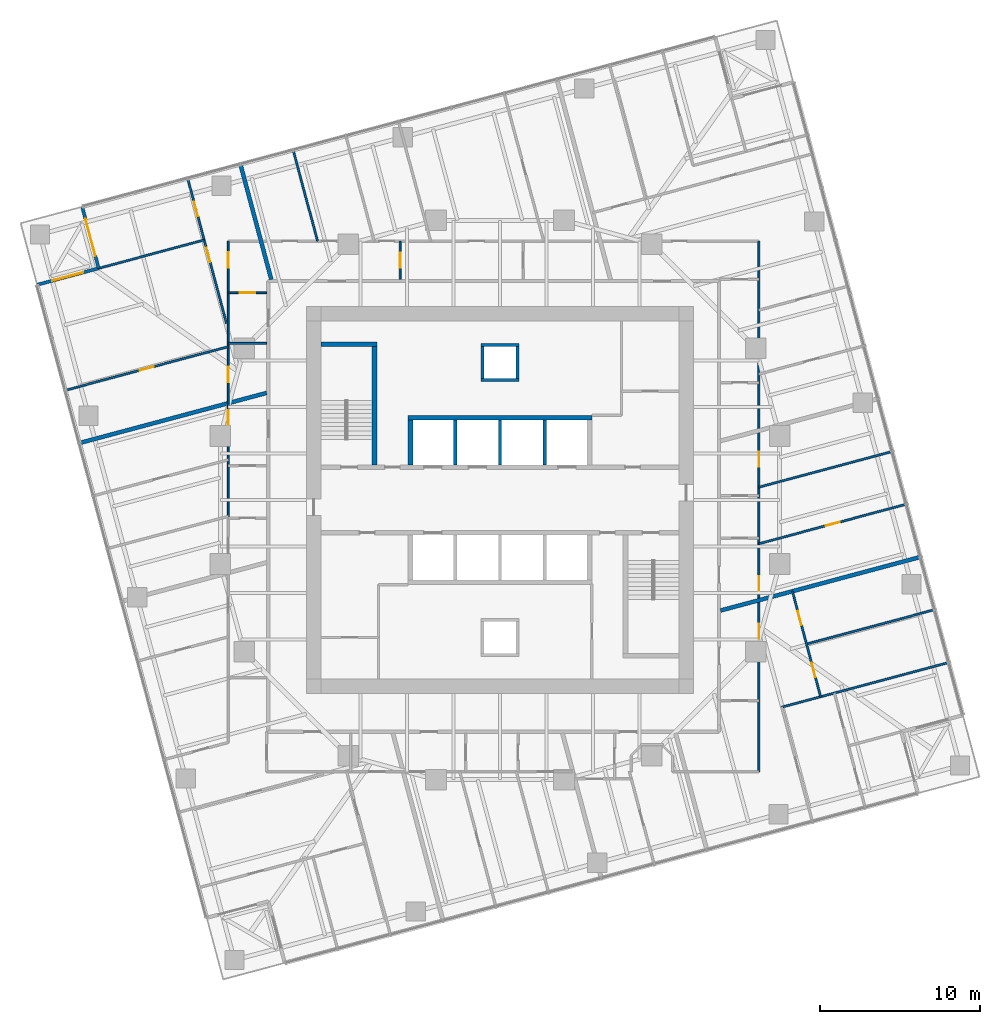
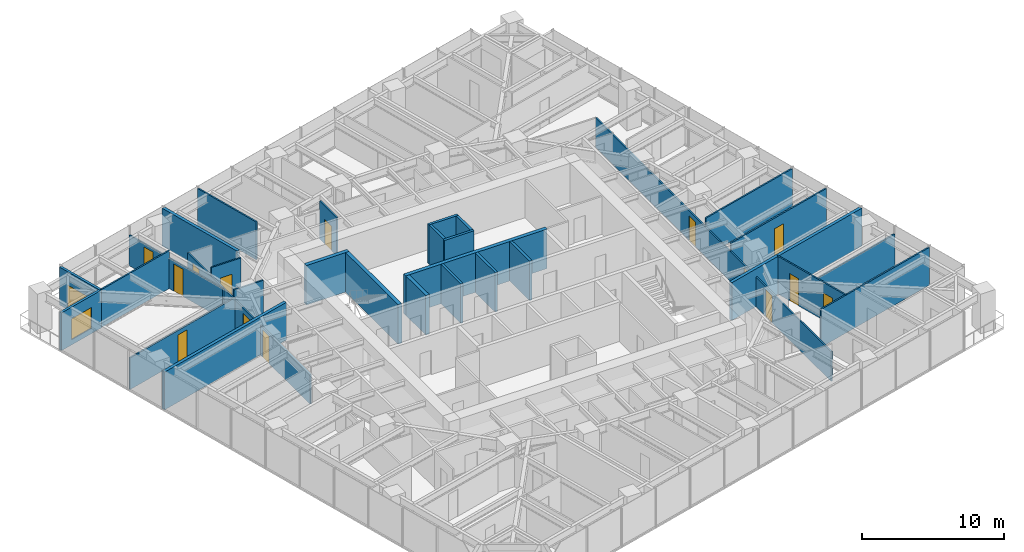
# One storey, part 11 of 14: 30 walls, 15 doors, 1 window, 16 openings.
"""IFC4 building model written with IfcOpenShell, lengths in metres."""

from ifc_helpers import new_model, si_unit, direction, frame, frame_2d, origin, place, context, subcontext, project, spatial, rectangle, extrude, material, layer, layer_set, type_object, element, fill, save


model = new_model("IFC4")

# Units and contexts
model_context = context("Model", 3, precision=1e-05, world=origin(), true_north=direction((0.0, 1.0)))
body_context = subcontext(model_context, "Body", "Model", "MODEL_VIEW")
ifc_project = project(units=[si_unit("LENGTHUNIT", "METRE"), si_unit("AREAUNIT", "SQUARE_METRE"), si_unit("VOLUMEUNIT", "CUBIC_METRE"), si_unit("PLANEANGLEUNIT", "RADIAN"), si_unit("MASSUNIT", "GRAM", prefix="KILO")], contexts=[model_context])

# Site, building, storey
site_placement = place(None, origin())
site = spatial("IfcSite", under=ifc_project, at=site_placement, CompositionType="ELEMENT")
building_placement = place(site_placement, origin())
building = spatial("IfcBuilding", under=site, at=building_placement, Name="Torsade Residences", CompositionType="ELEMENT")
storey_placement = place(building_placement, frame((0.0, 0.0, 125.199951171875)))
storey = spatial("IfcBuildingStorey", under=building, at=storey_placement, Name="L34", CompositionType="ELEMENT", Elevation=125.199951171875)

# Walls
ifc_material_1 = material(Name="Concrete 80 MPa", Category="concrete")
ifc_layer_1 = layer(ifc_material_1, 0.300048828125)
ifc_layer_set_1 = layer_set([ifc_layer_1], Name="Concrete 80 MPa")
wall_type_1 = type_object("IfcWallType", Name="CORE INTERNAL WALL 300", PredefinedType="SHEAR", material=ifc_layer_set_1)
wall_1_placement = place(storey_placement, frame((34.25, 35.14990234375, 0.0), z_axis=(0.0, 0.0, 1.0), x_axis=(1.0, 0.0, 0.0)))
element("IfcWall", 1, at=wall_1_placement, inside=storey, type_object=wall_type_1, Name="Core wall BN L34", PredefinedType="SHEAR", context=body_context, shape_type="SweptSolid", body=[
    extrude(rectangle(XDim=11.5, YDim=0.300048828125, at=frame_2d((5.75, 0.0))), origin(), (0.0, 0.0, 1.0), 3.400146484375),
])
wall_2_placement = place(storey_placement, frame((34.39990234375, 32.199951171875, 0.0), z_axis=(0.0, 0.0, 1.0), x_axis=(0.0, 1.0, 0.0)))
element("IfcWall", 2, at=wall_2_placement, inside=storey, type_object=wall_type_1, Name="Core wall DN0 L34", PredefinedType="SHEAR", context=body_context, shape_type="SweptSolid", body=[
    extrude(rectangle(XDim=2.800048828125, YDim=0.300048828125, at=frame_2d((1.39990234375, 0.0))), origin(), (0.0, 0.0, 1.0), 3.400146484375),
])
wall_3_placement = place(storey_placement, frame((32.14990234375, 32.199951171875, 0.0), z_axis=(0.0, 0.0, 1.0), x_axis=(0.0, 1.0, 0.0)))
element("IfcWall", 3, at=wall_3_placement, inside=storey, type_object=wall_type_1, Name="Core wall ST1E L34", PredefinedType="SHEAR", context=body_context, shape_type="SweptSolid", body=[
    extrude(rectangle(XDim=7.699951171875, YDim=0.300048828125, at=frame_2d((3.85009765625, 0.0))), origin(), (0.0, 0.0, 1.0), 3.400146484375),
])
wall_4_placement = place(storey_placement, frame((28.800048828125, 39.75, 0.0), z_axis=(0.0, 0.0, 1.0), x_axis=(1.0, 0.0, 0.0)))
element("IfcWall", 4, at=wall_4_placement, inside=storey, type_object=wall_type_1, Name="Core wall ST1N L34", PredefinedType="SHEAR", context=body_context, shape_type="SweptSolid", body=[
    extrude(rectangle(XDim=3.5, YDim=0.300048828125, at=frame_2d((1.75, 0.0))), origin(), (0.0, 0.0, 1.0), 3.400146484375),
])
ifc_material_2 = material(Name="Reinforced blockwork", Category="masonry")
ifc_layer_2 = layer(ifc_material_2, 0.199951171875)
ifc_layer_set_2 = layer_set([ifc_layer_2], Name="Reinforced blockwork")
wall_type_2 = type_object("IfcWallType", Name="LIFT SHAFT DIVIDING WALL 200", PredefinedType="SOLIDWALL", material=ifc_layer_set_2)
for number, where, z_axis, x_axis, name in (
    (5, (37.199951171875, 32.199951171875, 0.0), (0.0, 0.0, 1.0), (0.0, 1.0, 0.0), "Core wall DN1 L34"),
    (6, (40.0, 32.199951171875, 0.0), (0.0, 0.0, 1.0), (0.0, 1.0, 0.0), "Core wall DN2 L34"),
    (7, (42.800048828125, 32.199951171875, 0.0), (0.0, 0.0, 1.0), (0.0, 1.0, 0.0), "Core wall DN3 L34"),
):
    element("IfcWall", number, at=place(storey_placement, frame(where, z_axis=z_axis, x_axis=x_axis)), inside=storey, type_object=wall_type_2, Name=name, PredefinedType="SOLIDWALL", context=body_context, shape_type="SweptSolid", body=[
        extrude(rectangle(XDim=2.800048828125, YDim=0.199951171875, at=frame_2d((1.39990234375, 0.0))), origin(), (0.0, 0.0, 1.0), 3.400146484375),
    ])

# Wall, openings, doors
ifc_material_3 = material(Name="Plasterboard on steel stud", Category="steel")
ifc_layer_3 = layer(ifc_material_3, 0.1201171875)
ifc_layer_set_3 = layer_set([ifc_layer_3], Name="Plasterboard on steel stud")
wall_type_3 = type_object("IfcWallType", Name="PARTITION 120", PredefinedType="PARTITIONING", material=ifc_layer_set_3)
wall_5_placement = place(storey_placement, frame((56.199951171875, 46.199951171875, 0.0), z_axis=(0.0, 0.0, 1.0), x_axis=(0.0, -1.0, 0.0)))
wall_5 = element("IfcWall", 8, at=wall_5_placement, inside=storey, type_object=wall_type_3, Name="Partition L34", PredefinedType="PARTITIONING", context=body_context, shape_type="SweptSolid", body=[
    extrude(rectangle(XDim=33.199951171875, YDim=0.1201171875, at=frame_2d((16.60009765625, 0.0))), origin(), (0.0, 0.0, 1.0), 2.550048828125),
])
opening_1_placement = place(wall_5_placement, frame((23.95458984375, 0.0, 0.0)))
opening_1 = element("IfcOpeningElement", 9, at=opening_1_placement, cuts=wall_5, Name="Opening D02", PredefinedType="OPENING", context=body_context, shape_type="SweptSolid", body=[
    extrude(rectangle(XDim=0.919921875, YDim=2.340087890625, at=frame_2d((0.4599609375, 1.169921875))), frame((0.0, 0.070068359375, 0.0), z_axis=(0.0, -1.0, 0.0), x_axis=(1.0, 0.0, 0.0)), (0.0, 0.0, 1.0), 0.14013671875),
])
opening_2_placement = place(wall_5_placement, frame((20.96630859375, 0.0, 0.0)))
opening_2 = element("IfcOpeningElement", 10, at=opening_2_placement, cuts=wall_5, Name="Opening D02", PredefinedType="OPENING", context=body_context, shape_type="SweptSolid", body=[
    extrude(rectangle(XDim=0.919921875, YDim=2.340087890625, at=frame_2d((0.4599609375, 1.169921875))), frame((0.0, 0.070068359375, 0.0), z_axis=(0.0, -1.0, 0.0), x_axis=(1.0, 0.0, 0.0)), (0.0, 0.0, 1.0), 0.14013671875),
])
opening_3_placement = place(wall_5_placement, frame((13.173828125, 0.0, 0.0)))
opening_3 = element("IfcOpeningElement", 11, at=opening_3_placement, cuts=wall_5, Name="Opening D05", PredefinedType="OPENING", context=body_context, shape_type="SweptSolid", body=[
    extrude(rectangle(XDim=0.9599609375, YDim=2.10009765625, at=frame_2d((0.47998046875, 1.050048828125))), frame((0.0, 0.070068359375, 0.0), z_axis=(0.0, -1.0, 0.0), x_axis=(1.0, 0.0, 0.0)), (0.0, 0.0, 1.0), 0.14013671875),
])
ifc_material_4 = material(Name="Hollow-core timber door in a steel cavity frame", Category="steel")
door_type_1 = type_object("IfcDoorType", Name="BATHROOM CAVITY SLIDING DOOR 960", OperationType="SLIDING_TO_LEFT", PredefinedType="DOOR", material=ifc_material_4)
door_1_placement = place(opening_3_placement, origin())
door_1 = element("IfcDoor", 12, at=door_1_placement, inside=storey, type_object=door_type_1, Name="Door Bathroom to Bedroom 2", OperationType="SLIDING_TO_LEFT", OverallHeight=2.10009765625, OverallWidth=0.9599609375, PredefinedType="DOOR", context=body_context, shape_type="SweptSolid", body=[
    extrude(rectangle(XDim=0.9599609375, YDim=2.10009765625, at=frame_2d((0.47998046875, 1.050048828125))), frame((0.0, 0.02490234375, 0.0), z_axis=(0.0, -1.0, 0.0), x_axis=(1.0, 0.0, 0.0)), (0.0, 0.0, 1.0), 0.050048828125),
])
fill(opening_3, door_1)
ifc_material_5 = material(Name="Hollow-core timber door", Category="wood")
door_type_2 = type_object("IfcDoorType", Name="INTERNAL DOOR 920x2340", OperationType="NOTDEFINED", PredefinedType="DOOR", material=ifc_material_5)
door_2_placement = place(opening_1_placement, origin())
door_2 = element("IfcDoor", 13, at=door_2_placement, inside=storey, type_object=door_type_2, Name="Door Kitchen and dining to Living room", OperationType="SINGLE_SWING_RIGHT", OverallHeight=2.340087890625, OverallWidth=0.919921875, PredefinedType="DOOR", context=body_context, shape_type="SweptSolid", body=[
    extrude(rectangle(XDim=0.919921875, YDim=2.340087890625, at=frame_2d((0.4599609375, 1.169921875))), frame((0.0, 0.02490234375, 0.0), z_axis=(0.0, -1.0, 0.0), x_axis=(1.0, 0.0, 0.0)), (0.0, 0.0, 1.0), 0.050048828125),
])
fill(opening_1, door_2)
door_3_placement = place(opening_2_placement, origin())
door_3 = element("IfcDoor", 14, at=door_3_placement, inside=storey, type_object=door_type_2, Name="Door Kitchen and dining to Living room", OperationType="SINGLE_SWING_RIGHT", OverallHeight=2.340087890625, OverallWidth=0.919921875, PredefinedType="DOOR", context=body_context, shape_type="SweptSolid", body=[
    extrude(rectangle(XDim=0.919921875, YDim=2.340087890625, at=frame_2d((0.4599609375, 1.169921875))), frame((0.0, 0.02490234375, 0.0), z_axis=(0.0, -1.0, 0.0), x_axis=(1.0, 0.0, 0.0)), (0.0, 0.0, 1.0), 0.050048828125),
])
fill(opening_2, door_3)

wall_6_placement = place(storey_placement, frame((58.2919921875, 24.289794921875, 0.0), z_axis=(0.0, 0.0, 1.0), x_axis=(0.258809899302, -0.965928276853, 0.0)))
wall_6 = element("IfcWall", 15, at=wall_6_placement, inside=storey, type_object=wall_type_3, Name="Partition L34", PredefinedType="PARTITIONING", context=body_context, shape_type="SweptSolid", body=[
    extrude(rectangle(XDim=6.83349609375, YDim=0.1201171875, at=frame_2d((3.416748046875, 0.0))), origin(), (0.0, 0.0, 1.0), 3.25),
])
opening_4_placement = place(wall_6_placement, frame((1.2734375, 0.0, 0.0)))
opening_4 = element("IfcOpeningElement", 16, at=opening_4_placement, cuts=wall_6, Name="Opening D02", PredefinedType="OPENING", context=body_context, shape_type="SweptSolid", body=[
    extrude(rectangle(XDim=0.919921875, YDim=2.340087890625, at=frame_2d((0.4599609375, 1.169921875))), frame((0.0, 0.070068359375, 0.0), z_axis=(0.0, -1.0, 0.0), x_axis=(1.0, 0.0, 0.0)), (0.0, 0.0, 1.0), 0.14013671875),
])
opening_5_placement = place(wall_6_placement, frame((4.639892578125, 0.0, 0.0)))
opening_5 = element("IfcOpeningElement", 17, at=opening_5_placement, cuts=wall_6, Name="Opening D02", PredefinedType="OPENING", context=body_context, shape_type="SweptSolid", body=[
    extrude(rectangle(XDim=0.919921875, YDim=2.340087890625, at=frame_2d((0.4599609375, 1.169921875))), frame((0.0, 0.070068359375, 0.0), z_axis=(0.0, -1.0, 0.0), x_axis=(1.0, 0.0, 0.0)), (0.0, 0.0, 1.0), 0.14013671875),
])
door_4_placement = place(opening_4_placement, origin())
door_4 = element("IfcDoor", 18, at=door_4_placement, inside=storey, type_object=door_type_2, Name="Door Living room to Bedroom 1", OperationType="SINGLE_SWING_LEFT", OverallHeight=2.340087890625, OverallWidth=0.919921875, PredefinedType="DOOR", context=body_context, shape_type="SweptSolid", body=[
    extrude(rectangle(XDim=0.919921875, YDim=2.340087890625, at=frame_2d((0.4599609375, 1.169921875))), frame((0.0, 0.02490234375, 0.0), z_axis=(0.0, -1.0, 0.0), x_axis=(1.0, 0.0, 0.0)), (0.0, 0.0, 1.0), 0.050048828125),
])
fill(opening_4, door_4)
door_5_placement = place(opening_5_placement, origin())
door_5 = element("IfcDoor", 19, at=door_5_placement, inside=storey, type_object=door_type_2, Name="Door Living room to Bedroom 2", OperationType="SINGLE_SWING_LEFT", OverallHeight=2.340087890625, OverallWidth=0.919921875, PredefinedType="DOOR", context=body_context, shape_type="SweptSolid", body=[
    extrude(rectangle(XDim=0.919921875, YDim=2.340087890625, at=frame_2d((0.4599609375, 1.169921875))), frame((0.0, 0.02490234375, 0.0), z_axis=(0.0, -1.0, 0.0), x_axis=(1.0, 0.0, 0.0)), (0.0, 0.0, 1.0), 0.050048828125),
])
fill(opening_5, door_5)

# Walls
wall_7_placement = place(storey_placement, frame((68.048095703125, 19.82958984375, 0.0), z_axis=(0.0, 0.0, 1.0), x_axis=(-0.965921496576, -0.258835203272, 0.0)))
element("IfcWall", 20, at=wall_7_placement, inside=storey, type_object=wall_type_3, Name="Partition L34", PredefinedType="PARTITIONING", context=body_context, shape_type="SweptSolid", body=[
    extrude(rectangle(XDim=10.79345703125, YDim=0.1201171875, at=frame_2d((5.396728515625, 0.0))), origin(), (0.0, 0.0, 1.0), 3.25),
])
wall_8_placement = place(storey_placement, frame((67.163818359375, 23.129638671875, 0.0), z_axis=(0.0, 0.0, 1.0), x_axis=(-0.965929470378, -0.258805444794, 0.0)))
element("IfcWall", 21, at=wall_8_placement, inside=storey, type_object=wall_type_3, Name="Partition L34", PredefinedType="PARTITIONING", context=body_context, shape_type="SweptSolid", body=[
    extrude(rectangle(XDim=8.269287109375, YDim=0.1201171875, at=frame_2d((4.134765625, 0.0))), origin(), (0.0, 0.0, 1.0), 2.72216796875),
])

# Wall, opening, door
wall_9_placement = place(storey_placement, frame((56.199951171875, 27.266357421875, 0.0), z_axis=(0.0, 0.0, 1.0), x_axis=(0.965926072385, 0.25881812666, 0.0)))
wall_9 = element("IfcWall", 22, at=wall_9_placement, inside=storey, type_object=wall_type_3, Name="Partition L34", PredefinedType="PARTITIONING", context=body_context, shape_type="SweptSolid", body=[
    extrude(rectangle(XDim=9.519775390625, YDim=0.1201171875, at=frame_2d((4.759765625, 0.0))), origin(), (0.0, 0.0, 1.0), 3.25),
])
opening_6_placement = place(wall_9_placement, frame((4.31982421875, 0.0, 0.0)))
opening_6 = element("IfcOpeningElement", 23, at=opening_6_placement, cuts=wall_9, Name="Opening D02", PredefinedType="OPENING", context=body_context, shape_type="SweptSolid", body=[
    extrude(rectangle(XDim=0.919921875, YDim=2.340087890625, at=frame_2d((0.4599609375, 1.169921875))), frame((0.0, 0.070068359375, 0.0), z_axis=(0.0, -1.0, 0.0), x_axis=(1.0, 0.0, 0.0)), (0.0, 0.0, 1.0), 0.14013671875),
])
door_6_placement = place(opening_6_placement, origin())
door_6 = element("IfcDoor", 24, at=door_6_placement, inside=storey, type_object=door_type_2, Name="Door Living room to Bedroom 1", OperationType="SINGLE_SWING_LEFT", OverallHeight=2.340087890625, OverallWidth=0.919921875, PredefinedType="DOOR", context=body_context, shape_type="SweptSolid", body=[
    extrude(rectangle(XDim=0.919921875, YDim=2.340087890625, at=frame_2d((0.4599609375, 1.169921875))), frame((0.0, 0.02490234375, 0.0), z_axis=(0.0, -1.0, 0.0), x_axis=(1.0, 0.0, 0.0)), (0.0, 0.0, 1.0), 0.050048828125),
])
fill(opening_6, door_6)

# Wall
wall_10_placement = place(storey_placement, frame((56.199951171875, 30.803466796875, 0.0), z_axis=(0.0, 0.0, 1.0), x_axis=(0.965920565748, 0.258838676912, 0.0)))
element("IfcWall", 25, at=wall_10_placement, inside=storey, type_object=wall_type_3, Name="Partition L34", PredefinedType="PARTITIONING", context=body_context, shape_type="SweptSolid", body=[
    extrude(rectangle(XDim=8.60400390625, YDim=0.1201171875, at=frame_2d((4.302001953125, 0.0))), origin(), (0.0, 0.0, 1.0), 3.25),
])

# Wall, opening, door
wall_11_placement = place(storey_placement, frame((33.754150390625, 46.199951171875, 0.0), z_axis=(0.0, 0.0, 1.0), x_axis=(0.0, -1.0, 0.0)))
wall_11 = element("IfcWall", 26, at=wall_11_placement, inside=storey, type_object=wall_type_3, Name="Partition L34", PredefinedType="PARTITIONING", context=body_context, shape_type="SweptSolid", body=[
    extrude(rectangle(XDim=2.39990234375, YDim=0.1201171875, at=frame_2d((1.199951171875, 0.0))), origin(), (0.0, 0.0, 1.0), 3.25),
])
opening_7_placement = place(wall_11_placement, frame((0.719970703125, 0.0, 0.0)))
opening_7 = element("IfcOpeningElement", 27, at=opening_7_placement, cuts=wall_11, Name="Opening D05", PredefinedType="OPENING", context=body_context, shape_type="SweptSolid", body=[
    extrude(rectangle(XDim=0.9599609375, YDim=2.10009765625, at=frame_2d((0.47998046875, 1.050048828125))), frame((0.0, 0.070068359375, 0.0), z_axis=(0.0, -1.0, 0.0), x_axis=(1.0, 0.0, 0.0)), (0.0, 0.0, 1.0), 0.14013671875),
])
door_7_placement = place(opening_7_placement, origin())
door_7 = element("IfcDoor", 28, at=door_7_placement, inside=storey, type_object=door_type_1, Name="Door Kitchen and dining to Bathroom", OperationType="SLIDING_TO_LEFT", OverallHeight=2.10009765625, OverallWidth=0.9599609375, PredefinedType="DOOR", context=body_context, shape_type="SweptSolid", body=[
    extrude(rectangle(XDim=0.9599609375, YDim=2.10009765625, at=frame_2d((0.47998046875, 1.050048828125))), frame((0.0, 0.02490234375, 0.0), z_axis=(0.0, -1.0, 0.0), x_axis=(1.0, 0.0, 0.0)), (0.0, 0.0, 1.0), 0.050048828125),
])
fill(opening_7, door_7)

# Walls
wall_12_placement = place(storey_placement, frame((28.584716796875, 46.199951171875, 0.0), z_axis=(0.0, 0.0, 1.0), x_axis=(-0.258790947109, 0.965933354686, 0.0)))
element("IfcWall", 29, at=wall_12_placement, inside=storey, type_object=wall_type_3, Name="Partition L34", PredefinedType="PARTITIONING", context=body_context, shape_type="SweptSolid", body=[
    extrude(rectangle(XDim=5.857421875, YDim=0.1201171875, at=frame_2d((2.9287109375, 0.0))), origin(), (0.0, 0.0, 1.0), 3.25),
])
wall_13_placement = place(storey_placement, frame((25.39990234375, 39.79541015625, 0.0), z_axis=(0.0, 0.0, 1.0), x_axis=(-1.0, 0.0, 0.0)))
element("IfcWall", 30, at=wall_13_placement, inside=storey, type_object=wall_type_3, Name="Partition L34", PredefinedType="PARTITIONING", context=body_context, shape_type="SweptSolid", body=[
    extrude(rectangle(XDim=2.39990234375, YDim=0.1201171875, at=frame_2d((1.199951171875, 0.0))), origin(), (0.0, 0.0, 1.0), 3.25),
])

# Wall, openings, doors
wall_14_placement = place(storey_placement, frame((23.0, 28.93017578125, 0.0), z_axis=(0.0, 0.0, 1.0), x_axis=(0.0, 1.0, 0.0)))
wall_14 = element("IfcWall", 31, at=wall_14_placement, inside=storey, type_object=wall_type_3, Name="Partition L34", PredefinedType="PARTITIONING", context=body_context, shape_type="SweptSolid", body=[
    extrude(rectangle(XDim=17.269775390625, YDim=0.1201171875, at=frame_2d((8.634765625, 0.0))), origin(), (0.0, 0.0, 1.0), 2.550048828125),
])
opening_8_placement = place(wall_14_placement, frame((5.771728515625, 0.0, 0.0)))
opening_8 = element("IfcOpeningElement", 32, at=opening_8_placement, cuts=wall_14, Name="Opening D02", PredefinedType="OPENING", context=body_context, shape_type="SweptSolid", body=[
    extrude(rectangle(XDim=0.919921875, YDim=2.340087890625, at=frame_2d((0.4599609375, 1.169921875))), frame((0.0, 0.070068359375, 0.0), z_axis=(0.0, -1.0, 0.0), x_axis=(1.0, 0.0, 0.0)), (0.0, 0.0, 1.0), 0.14013671875),
])
opening_9_placement = place(wall_14_placement, frame((15.5986328125, 0.0, 0.0)))
opening_9 = element("IfcOpeningElement", 33, at=opening_9_placement, cuts=wall_14, Name="Opening D05", PredefinedType="OPENING", context=body_context, shape_type="SweptSolid", body=[
    extrude(rectangle(XDim=0.9599609375, YDim=2.10009765625, at=frame_2d((0.47998046875, 1.050048828125))), frame((0.0, 0.070068359375, 0.0), z_axis=(0.0, -1.0, 0.0), x_axis=(1.0, 0.0, 0.0)), (0.0, 0.0, 1.0), 0.14013671875),
])
opening_10_placement = place(wall_14_placement, frame((8.440673828125, 0.0, 0.0)))
opening_10 = element("IfcOpeningElement", 34, at=opening_10_placement, cuts=wall_14, Name="Opening D05", PredefinedType="OPENING", context=body_context, shape_type="SweptSolid", body=[
    extrude(rectangle(XDim=0.9599609375, YDim=2.10009765625, at=frame_2d((0.47998046875, 1.050048828125))), frame((0.0, 0.070068359375, 0.0), z_axis=(0.0, -1.0, 0.0), x_axis=(1.0, 0.0, 0.0)), (0.0, 0.0, 1.0), 0.14013671875),
])
door_8_placement = place(opening_9_placement, origin())
door_8 = element("IfcDoor", 35, at=door_8_placement, inside=storey, type_object=door_type_1, Name="Door WC to Bedroom 3", OperationType="SLIDING_TO_LEFT", OverallHeight=2.10009765625, OverallWidth=0.9599609375, PredefinedType="DOOR", context=body_context, shape_type="SweptSolid", body=[
    extrude(rectangle(XDim=0.9599609375, YDim=2.10009765625, at=frame_2d((0.47998046875, 1.050048828125))), frame((0.0, 0.02490234375, 0.0), z_axis=(0.0, -1.0, 0.0), x_axis=(1.0, 0.0, 0.0)), (0.0, 0.0, 1.0), 0.050048828125),
])
fill(opening_9, door_8)
door_9_placement = place(opening_10_placement, origin())
door_9 = element("IfcDoor", 36, at=door_9_placement, inside=storey, type_object=door_type_1, Name="Door Bedroom 1 to Bathroom", OperationType="SLIDING_TO_LEFT", OverallHeight=2.10009765625, OverallWidth=0.9599609375, PredefinedType="DOOR", context=body_context, shape_type="SweptSolid", body=[
    extrude(rectangle(XDim=0.9599609375, YDim=2.10009765625, at=frame_2d((0.47998046875, 1.050048828125))), frame((0.0, 0.02490234375, 0.0), z_axis=(0.0, -1.0, 0.0), x_axis=(1.0, 0.0, 0.0)), (0.0, 0.0, 1.0), 0.050048828125),
])
fill(opening_10, door_9)
door_10_placement = place(opening_8_placement, origin())
door_10 = element("IfcDoor", 37, at=door_10_placement, inside=storey, type_object=door_type_2, Name="Door Kitchen and dining to Living room", OperationType="SINGLE_SWING_LEFT", OverallHeight=2.340087890625, OverallWidth=0.919921875, PredefinedType="DOOR", context=body_context, shape_type="SweptSolid", body=[
    extrude(rectangle(XDim=0.919921875, YDim=2.340087890625, at=frame_2d((0.4599609375, 1.169921875))), frame((0.0, 0.02490234375, 0.0), z_axis=(0.0, -1.0, 0.0), x_axis=(1.0, 0.0, 0.0)), (0.0, 0.0, 1.0), 0.050048828125),
])
fill(opening_8, door_10)

# Wall, opening, door
wall_15_placement = place(storey_placement, frame((23.0, 42.968017578125, 0.0), z_axis=(0.0, 0.0, 1.0), x_axis=(1.0, 0.0, 0.0)))
wall_15 = element("IfcWall", 38, at=wall_15_placement, inside=storey, type_object=wall_type_3, Name="Partition L34", PredefinedType="PARTITIONING", context=body_context, shape_type="SweptSolid", body=[
    extrude(rectangle(XDim=2.39990234375, YDim=0.1201171875, at=frame_2d((1.199951171875, 0.0))), origin(), (0.0, 0.0, 1.0), 3.25),
])
opening_11_placement = place(wall_15_placement, frame((0.719970703125, 0.0, 0.0)))
opening_11 = element("IfcOpeningElement", 39, at=opening_11_placement, cuts=wall_15, Name="Opening D05", PredefinedType="OPENING", context=body_context, shape_type="SweptSolid", body=[
    extrude(rectangle(XDim=0.9599609375, YDim=2.10009765625, at=frame_2d((0.47998046875, 1.050048828125))), frame((0.0, 0.070068359375, 0.0), z_axis=(0.0, -1.0, 0.0), x_axis=(1.0, 0.0, 0.0)), (0.0, 0.0, 1.0), 0.14013671875),
])
door_11_placement = place(opening_11_placement, origin())
door_11 = element("IfcDoor", 40, at=door_11_placement, inside=storey, type_object=door_type_1, Name="Door Kitchen and dining to WC", OperationType="SLIDING_TO_LEFT", OverallHeight=2.10009765625, OverallWidth=0.9599609375, PredefinedType="DOOR", context=body_context, shape_type="SweptSolid", body=[
    extrude(rectangle(XDim=0.9599609375, YDim=2.10009765625, at=frame_2d((0.47998046875, 1.050048828125))), frame((0.0, 0.02490234375, 0.0), z_axis=(0.0, -1.0, 0.0), x_axis=(1.0, 0.0, 0.0)), (0.0, 0.0, 1.0), 0.050048828125),
])
fill(opening_11, door_11)

wall_16_placement = place(storey_placement, frame((23.0, 39.59375, 0.0), z_axis=(0.0, 0.0, 1.0), x_axis=(-0.9659257847, -0.258819200315, 0.0)))
wall_16 = element("IfcWall", 41, at=wall_16_placement, inside=storey, type_object=wall_type_3, Name="Partition L34", PredefinedType="PARTITIONING", context=body_context, shape_type="SweptSolid", body=[
    extrude(rectangle(XDim=10.5224609375, YDim=0.1201171875, at=frame_2d((5.26123046875, 0.0))), origin(), (0.0, 0.0, 1.0), 2.72216796875),
])
opening_12_placement = place(wall_16_placement, frame((4.821044921875, 0.0, 0.0)))
opening_12 = element("IfcOpeningElement", 42, at=opening_12_placement, cuts=wall_16, Name="Opening D02", PredefinedType="OPENING", context=body_context, shape_type="SweptSolid", body=[
    extrude(rectangle(XDim=0.919921875, YDim=2.340087890625, at=frame_2d((0.4599609375, 1.169921875))), frame((0.0, 0.070068359375, 0.0), z_axis=(0.0, -1.0, 0.0), x_axis=(1.0, 0.0, 0.0)), (0.0, 0.0, 1.0), 0.14013671875),
])
door_12_placement = place(opening_12_placement, origin())
door_12 = element("IfcDoor", 43, at=door_12_placement, inside=storey, type_object=door_type_2, Name="Door Living room to Bedroom 1", OperationType="SINGLE_SWING_RIGHT", OverallHeight=2.340087890625, OverallWidth=0.919921875, PredefinedType="DOOR", context=body_context, shape_type="SweptSolid", body=[
    extrude(rectangle(XDim=0.919921875, YDim=2.340087890625, at=frame_2d((0.4599609375, 1.169921875))), frame((0.0, 0.02490234375, 0.0), z_axis=(0.0, -1.0, 0.0), x_axis=(1.0, 0.0, 0.0)), (0.0, 0.0, 1.0), 0.050048828125),
])
fill(opening_12, door_12)

# Wall
wall_17_placement = place(storey_placement, frame((14.931396484375, 44.506103515625, 0.0), z_axis=(0.0, 0.0, 1.0), x_axis=(0.965922865286, 0.258830095464, 0.0)))
element("IfcWall", 44, at=wall_17_placement, inside=storey, type_object=wall_type_3, Name="Partition L34", PredefinedType="PARTITIONING", context=body_context, shape_type="SweptSolid", body=[
    extrude(rectangle(XDim=6.793212890625, YDim=0.1201171875, at=frame_2d((3.396484375, 0.0))), origin(), (0.0, 0.0, 1.0), 3.25),
])

# Wall, openings, doors
wall_18_placement = place(storey_placement, frame((20.46826171875, 50.08935546875, 0.0), z_axis=(0.0, 0.0, 1.0), x_axis=(0.25881390457, -0.965927203676, 0.0)))
wall_18 = element("IfcWall", 45, at=wall_18_placement, inside=storey, type_object=wall_type_3, Name="Partition L34", PredefinedType="PARTITIONING", context=body_context, shape_type="SweptSolid", body=[
    extrude(rectangle(XDim=9.356689453125, YDim=0.1201171875, at=frame_2d((4.67822265625, 0.0))), origin(), (0.0, 0.0, 1.0), 2.637939453125),
])
opening_13_placement = place(wall_18_placement, frame((4.4609375, 0.0, 0.0)))
opening_13 = element("IfcOpeningElement", 46, at=opening_13_placement, cuts=wall_18, Name="Opening D02", PredefinedType="OPENING", context=body_context, shape_type="SweptSolid", body=[
    extrude(rectangle(XDim=0.919921875, YDim=2.340087890625, at=frame_2d((0.4599609375, 1.169921875))), frame((0.0, 0.070068359375, 0.0), z_axis=(0.0, -1.0, 0.0), x_axis=(1.0, 0.0, 0.0)), (0.0, 0.0, 1.0), 0.14013671875),
])
opening_14_placement = place(wall_18_placement, frame((1.5, 0.0, 0.0)))
opening_14 = element("IfcOpeningElement", 47, at=opening_14_placement, cuts=wall_18, Name="Opening D02", PredefinedType="OPENING", context=body_context, shape_type="SweptSolid", body=[
    extrude(rectangle(XDim=0.919921875, YDim=2.340087890625, at=frame_2d((0.4599609375, 1.169921875))), frame((0.0, 0.070068359375, 0.0), z_axis=(0.0, -1.0, 0.0), x_axis=(1.0, 0.0, 0.0)), (0.0, 0.0, 1.0), 0.14013671875),
])
door_13_placement = place(opening_13_placement, origin())
door_13 = element("IfcDoor", 48, at=door_13_placement, inside=storey, type_object=door_type_2, Name="Door Bedroom 3 to Living room", OperationType="SINGLE_SWING_LEFT", OverallHeight=2.340087890625, OverallWidth=0.919921875, PredefinedType="DOOR", context=body_context, shape_type="SweptSolid", body=[
    extrude(rectangle(XDim=0.919921875, YDim=2.340087890625, at=frame_2d((0.4599609375, 1.169921875))), frame((0.0, 0.02490234375, 0.0), z_axis=(0.0, -1.0, 0.0), x_axis=(1.0, 0.0, 0.0)), (0.0, 0.0, 1.0), 0.050048828125),
])
fill(opening_13, door_13)
door_14_placement = place(opening_14_placement, origin())
door_14 = element("IfcDoor", 49, at=door_14_placement, inside=storey, type_object=door_type_2, Name="Door Bedroom 3 to Bedroom 2", OperationType="SINGLE_SWING_LEFT", OverallHeight=2.340087890625, OverallWidth=0.919921875, PredefinedType="DOOR", context=body_context, shape_type="SweptSolid", body=[
    extrude(rectangle(XDim=0.919921875, YDim=2.340087890625, at=frame_2d((0.4599609375, 1.169921875))), frame((0.0, 0.02490234375, 0.0), z_axis=(0.0, -1.0, 0.0), x_axis=(1.0, 0.0, 0.0)), (0.0, 0.0, 1.0), 0.050048828125),
])
fill(opening_14, door_14)

# Walls
ifc_material_6 = material(Name="Masonry-lined stud party wall", Category="masonry")
ifc_layer_4 = layer(ifc_material_6, 0.25)
ifc_layer_set_4 = layer_set([ifc_layer_4], Name="Masonry-lined stud party wall")
wall_type_4 = type_object("IfcWallType", Name="PARTY WALL 250", PredefinedType="PARTITIONING", material=ifc_layer_set_4)
wall_19_placement = place(storey_placement, frame((23.75830078125, 51.01220703125, 0.0), z_axis=(0.0, 0.0, 1.0), x_axis=(0.258805213744, -0.965929532284, 0.0)))
element("IfcWall", 50, at=wall_19_placement, inside=storey, type_object=wall_type_4, Name="Party wall L34", PredefinedType="PARTITIONING", context=body_context, shape_type="SweptSolid", body=[
    extrude(rectangle(XDim=7.47314453125, YDim=0.25, at=frame_2d((3.736572265625, 0.0))), origin(), (0.0, 0.0, 1.0), 3.25),
])
wall_20_placement = place(storey_placement, frame((66.318115234375, 26.4404296875, 0.0), z_axis=(0.0, 0.0, 1.0), x_axis=(-0.965924854576, -0.258822671559, 0.0)))
element("IfcWall", 51, at=wall_20_placement, inside=storey, type_object=wall_type_4, Name="Party wall L34", PredefinedType="PARTITIONING", context=body_context, shape_type="SweptSolid", body=[
    extrude(rectangle(XDim=12.96630859375, YDim=0.25, at=frame_2d((6.483154296875, 0.0))), origin(), (0.0, 0.0, 1.0), 3.25),
])
wall_21_placement = place(storey_placement, frame((13.681884765625, 33.5595703125, 0.0), z_axis=(0.0, 0.0, 1.0), x_axis=(0.965924438766, 0.258824223352, 0.0)))
element("IfcWall", 52, at=wall_21_placement, inside=storey, type_object=wall_type_4, Name="Party wall L34", PredefinedType="PARTITIONING", context=body_context, shape_type="SweptSolid", body=[
    extrude(rectangle(XDim=12.137939453125, YDim=0.25, at=frame_2d((6.06884765625, 0.0))), origin(), (0.0, 0.0, 1.0), 3.25),
])
ifc_material_7 = material(Name="Reinforced blockwork", Category="masonry")
ifc_layer_5 = layer(ifc_material_7, 0.199951171875)
ifc_layer_set_5 = layer_set([ifc_layer_5], Name="Reinforced blockwork")
wall_type_5 = type_object("IfcWallType", Name="RISER SHAFT WALL 200", PredefinedType="SOLIDWALL", material=ifc_layer_set_5)
for number, where, z_axis, x_axis, name in (
    (53, (38.89990234375, 37.60009765625, 0.0), (0.0, 0.0, 1.0), (0.0, 1.0, 0.0), "Core wall RS1a L34"),
    (54, (41.10009765625, 37.60009765625, 0.0), (0.0, 0.0, 1.0), (0.0, 1.0, 0.0), "Core wall RS1b L34"),
):
    element("IfcWall", number, at=place(storey_placement, frame(where, z_axis=z_axis, x_axis=x_axis)), inside=storey, type_object=wall_type_5, Name=name, PredefinedType="SOLIDWALL", context=body_context, shape_type="SweptSolid", body=[
        extrude(rectangle(XDim=2.0, YDim=0.199951171875, at=frame_2d((1.0, 0.0))), origin(), (0.0, 0.0, 1.0), 3.400146484375),
    ])
for number, where, z_axis, x_axis, name in (
    (55, (38.800048828125, 37.5, 0.0), (0.0, 0.0, 1.0), (1.0, 0.0, 0.0), "Core wall RS1c L34"),
    (56, (38.800048828125, 39.699951171875, 0.0), (0.0, 0.0, 1.0), (1.0, 0.0, 0.0), "Core wall RS1d L34"),
):
    element("IfcWall", number, at=place(storey_placement, frame(where, z_axis=z_axis, x_axis=x_axis)), inside=storey, type_object=wall_type_5, Name=name, PredefinedType="SOLIDWALL", context=body_context, shape_type="SweptSolid", body=[
        extrude(rectangle(XDim=2.39990234375, YDim=0.199951171875, at=frame_2d((1.199951171875, 0.0))), origin(), (0.0, 0.0, 1.0), 3.400146484375),
    ])

# Wall, opening, door
ifc_material_8 = material(Name="Stone-faced precast concrete 40 MPa panel", Category="masonry")
ifc_layer_6 = layer(ifc_material_8, 0.199951171875)
ifc_layer_set_6 = layer_set([ifc_layer_6], Name="Stone-faced precast concrete 40 MPa panel")
wall_type_6 = type_object("IfcWallType", Name="TERRACE WALL 200", PredefinedType="SOLIDWALL", material=ifc_layer_set_6)
wall_22_placement = place(storey_placement, frame((13.857421875, 48.359375, 0.0), z_axis=(0.0, 0.0, 1.0), x_axis=(0.258843877716, -0.965919172068, 0.0)))
wall_22 = element("IfcWall", 57, at=wall_22_placement, inside=storey, type_object=wall_type_6, Name="Terrace wall L34 8", PredefinedType="SOLIDWALL", context=body_context, shape_type="SweptSolid", body=[
    extrude(rectangle(XDim=4.0, YDim=0.199951171875, at=frame_2d((2.0, 0.0))), origin(), (0.0, 0.0, 1.0), 3.25),
])
opening_15_placement = place(wall_22_placement, frame((0.800048828125, 0.0, 0.0)))
opening_15 = element("IfcOpeningElement", 58, at=opening_15_placement, cuts=wall_22, Name="Opening D10A", PredefinedType="OPENING", context=body_context, shape_type="SweptSolid", body=[
    extrude(rectangle(XDim=2.39990234375, YDim=2.10009765625, at=frame_2d((1.199951171875, 1.050048828125))), frame((0.0, 0.10986328125, 0.0), z_axis=(0.0, -1.0, 0.0), x_axis=(1.0, 0.0, 0.0)), (0.0, 0.0, 1.0), 0.219970703125),
])
ifc_material_9 = material(Name="Aluminium-framed glass door", Category="aluminium")
door_type_3 = type_object("IfcDoorType", Name="TERRACE SLIDING DOOR 2400x2100", OperationType="SLIDING_TO_LEFT", PredefinedType="DOOR", material=ifc_material_9)
door_15_placement = place(opening_15_placement, origin())
door_15 = element("IfcDoor", 59, at=door_15_placement, inside=storey, type_object=door_type_3, Name="Terrace door L34 8", OperationType="SLIDING_TO_LEFT", OverallHeight=2.10009765625, OverallWidth=2.39990234375, PredefinedType="DOOR", context=body_context, shape_type="SweptSolid", body=[
    extrude(rectangle(XDim=2.39990234375, YDim=2.10009765625, at=frame_2d((1.199951171875, 1.050048828125))), frame((0.0, 0.02490234375, 0.0), z_axis=(0.0, -1.0, 0.0), x_axis=(1.0, 0.0, 0.0)), (0.0, 0.0, 1.0), 0.050048828125),
])
fill(opening_15, door_15)

# Wall, opening, window
wall_23_placement = place(storey_placement, frame((14.892822265625, 44.49560546875, 0.0), z_axis=(0.0, 0.0, 1.0), x_axis=(-0.965934430412, -0.258786931944, 0.0)))
wall_23 = element("IfcWall", 60, at=wall_23_placement, inside=storey, type_object=wall_type_6, Name="Terrace wall L34 9", PredefinedType="SOLIDWALL", context=body_context, shape_type="SweptSolid", body=[
    extrude(rectangle(XDim=4.0, YDim=0.199951171875, at=frame_2d((2.0, 0.0))), origin(), (0.0, 0.0, 1.0), 3.25),
])
opening_16_placement = place(wall_23_placement, frame((1.0, 0.0, 0.449951171875)))
opening_16 = element("IfcOpeningElement", 61, at=opening_16_placement, cuts=wall_23, Name="Opening W1B", PredefinedType="OPENING", context=body_context, shape_type="SweptSolid", body=[
    extrude(rectangle(XDim=2.0, YDim=1.800048828125, at=frame_2d((1.0, 0.89990234375))), frame((0.0, 0.10986328125, 0.0), z_axis=(0.0, -1.0, 0.0), x_axis=(1.0, 0.0, 0.0)), (0.0, 0.0, 1.0), 0.219970703125),
])
ifc_material_10 = material(Name="Aluminium-framed glass window", Category="aluminium")
window_type = type_object("IfcWindowType", Name="TERRACE WINDOW 2000x1800", PartitioningType="SINGLE_PANEL", PredefinedType="WINDOW", material=ifc_material_10)
window_placement = place(opening_16_placement, origin())
window = element("IfcWindow", 62, at=window_placement, inside=storey, type_object=window_type, Name="Terrace window L34 9", OverallHeight=1.800048828125, OverallWidth=2.0, PartitioningType="SINGLE_PANEL", PredefinedType="WINDOW", context=body_context, shape_type="SweptSolid", body=[
    extrude(rectangle(XDim=2.0, YDim=1.800048828125, at=frame_2d((1.0, 0.89990234375))), frame((0.0, 0.030029296875, 0.0), z_axis=(0.0, -1.0, 0.0), x_axis=(1.0, 0.0, 0.0)), (0.0, 0.0, 1.0), 0.06005859375),
])
fill(opening_16, window)

save(model, "model.ifc")
